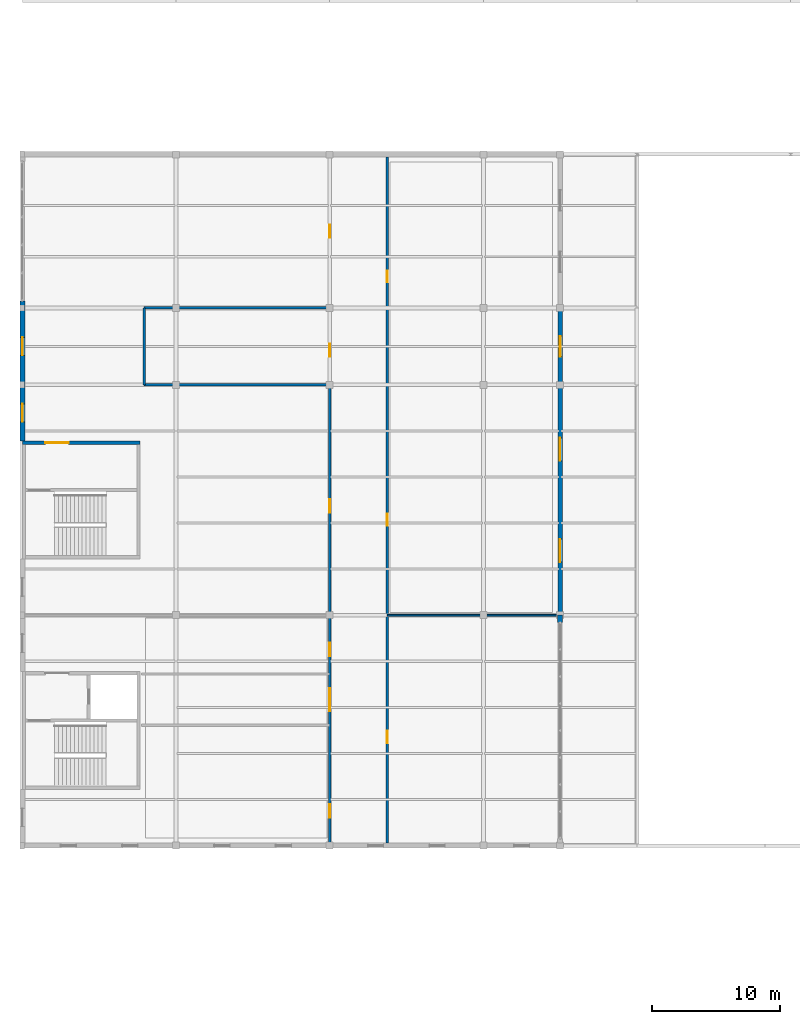
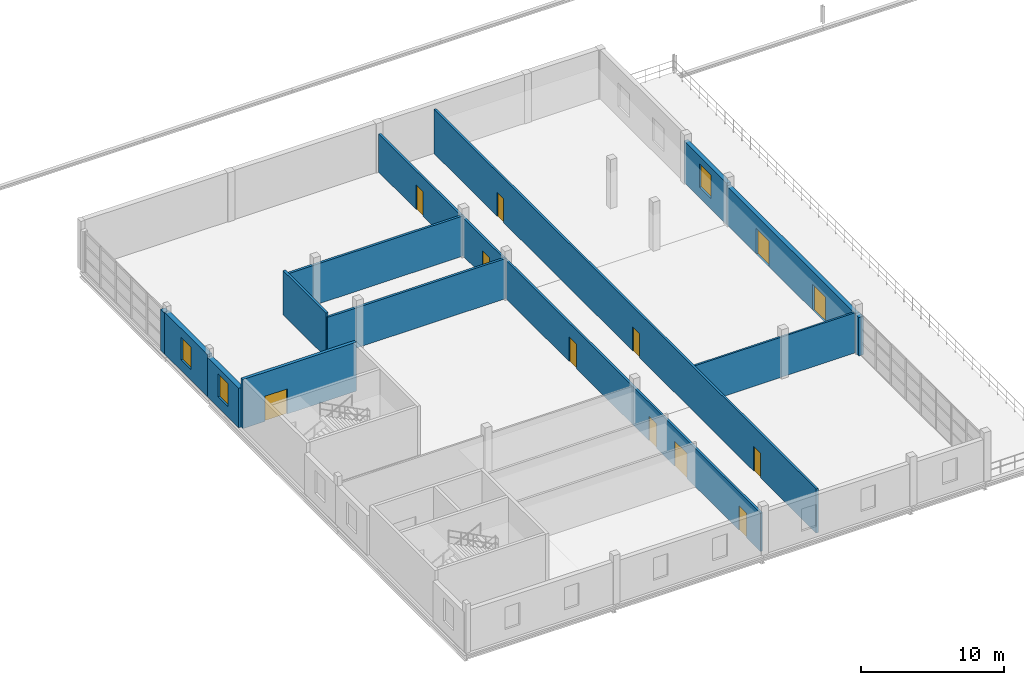
# One storey, part 78 of 86: 13 walls, 12 doors, 3 windows, 15 openings.
"""IFC4 building model written with IfcOpenShell, lengths in metres."""

from ifc_helpers import new_model, si_unit, direction, frame, frame_2d, origin, place, context, subcontext, project, spatial, rectangle, extrude, material, layer, layer_set, type_object, element, fill, save


model = new_model("IFC4")

# Units and contexts
model_context = context("Model", 3, precision=1e-05, world=origin(), true_north=direction((0.0, 1.0)))
body_context = subcontext(model_context, "Body", "Model", "MODEL_VIEW")
ifc_project = project(units=[si_unit("LENGTHUNIT", "METRE"), si_unit("AREAUNIT", "SQUARE_METRE"), si_unit("VOLUMEUNIT", "CUBIC_METRE"), si_unit("PLANEANGLEUNIT", "RADIAN"), si_unit("MASSUNIT", "GRAM", prefix="KILO")], contexts=[model_context])

# Site, building, storey
site_placement = place(None, origin())
site = spatial("IfcSite", under=ifc_project, at=site_placement, CompositionType="ELEMENT")
building_placement = place(site_placement, origin())
building = spatial("IfcBuilding", under=site, at=building_placement, Name="Zilviju Railside Exhibition Hall", CompositionType="ELEMENT")
storey_placement = place(building_placement, frame((0.0, 0.0, 12.60009765625)))
storey = spatial("IfcBuildingStorey", under=building, at=storey_placement, Name="L04", CompositionType="ELEMENT", Elevation=12.60009765625)

# Wall, opening, door
ifc_material_1 = material(Name="Concrete C35/45", Category="concrete")
ifc_layer_1 = layer(ifc_material_1, 0.25)
ifc_layer_set_1 = layer_set([ifc_layer_1], Name="Concrete C35/45")
wall_type_1 = type_object("IfcWallType", Name="WL-CORE-250", PredefinedType="SHEAR", material=ifc_layer_set_1)
wall_1_placement = place(storey_placement, frame((0.0, 115.47509765625, 0.0), z_axis=(0.0, 0.0, 1.0), x_axis=(1.0, 0.0, 0.0)))
wall_1 = element("IfcWall", 1, at=wall_1_placement, inside=storey, type_object=wall_type_1, Name="Core C16 Organisers Wing North Lobby Side Wall L04", PredefinedType="SHEAR", context=body_context, shape_type="SweptSolid", body=[
    extrude(rectangle(XDim=9.199951171875, YDim=0.25, at=frame_2d((4.60009765625, 0.0))), origin(), (0.0, 0.0, 1.0), 4.199951171875),
])
opening_1_placement = place(wall_1_placement, frame((1.800048828125, 0.0, 0.0)))
opening_1 = element("IfcOpeningElement", 2, at=opening_1_placement, cuts=wall_1, Name="Opening FD-02", PredefinedType="OPENING", context=body_context, shape_type="SweptSolid", body=[
    extrude(rectangle(XDim=1.800048828125, YDim=2.14990234375, at=frame_2d((0.89990234375, 1.074951171875))), frame((0.0, 0.135009765625, 0.0), z_axis=(0.0, -1.0, 0.0), x_axis=(1.0, 0.0, 0.0)), (0.0, 0.0, 1.0), 0.27001953125),
])
ifc_material_2 = material(Name="Self-closing glazed steel core lobby fire door EI 60", Category="steel")
door_type_1 = type_object("IfcDoorType", Name="DR-LOBBY-180x215", OperationType="NOTDEFINED", PredefinedType="DOOR", material=ifc_material_2)
door_1_placement = place(opening_1_placement, origin())
door_1 = element("IfcDoor", 3, at=door_1_placement, inside=storey, type_object=door_type_1, Name="Core C16 Organisers Wing North Lobby Fire Door L04", OperationType="DOUBLE_DOOR_SINGLE_SWING", OverallHeight=2.14990234375, OverallWidth=1.800048828125, PredefinedType="DOOR", context=body_context, shape_type="SweptSolid", body=[
    extrude(rectangle(XDim=1.800048828125, YDim=2.14990234375, at=frame_2d((0.89990234375, 1.074951171875))), frame((0.0, 0.02490234375, 0.0), z_axis=(0.0, -1.0, 0.0), x_axis=(1.0, 0.0, 0.0)), (0.0, 0.0, 1.0), 0.050048828125),
])
fill(opening_1, door_1)

# Wall, openings, doors
ifc_material_3 = material(Name="Insulated terrace foyer masonry wall", Category="masonry")
ifc_layer_2 = layer(ifc_material_3, 0.340087890625)
ifc_layer_set_2 = layer_set([ifc_layer_2], Name="Insulated terrace foyer masonry wall")
wall_type_2 = type_object("IfcWallType", Name="WL-EXT-340", PredefinedType="SOLIDWALL", material=ifc_layer_set_2)
wall_2_placement = place(storey_placement, frame((42.0, 120.0, 0.0), z_axis=(0.0, 0.0, 1.0), x_axis=(0.0, -1.0, 0.0)))
wall_2 = element("IfcWall", 4, at=wall_2_placement, inside=storey, type_object=wall_type_2, Name="Exterior Facade Wall L04 East 0495", PredefinedType="SOLIDWALL", context=body_context, shape_type="SweptSolid", body=[
    extrude(rectangle(XDim=18.0, YDim=0.340087890625, at=frame_2d((9.0, 0.0))), origin(), (0.0, 0.0, 1.0), 3.2998046875),
])
opening_2_placement = place(wall_2_placement, frame((4.139892578125, 0.0, 0.0)))
opening_2 = element("IfcOpeningElement", 5, at=opening_2_placement, cuts=wall_2, Name="Opening TD-01", PredefinedType="OPENING", context=body_context, shape_type="SweptSolid", body=[
    extrude(rectangle(XDim=1.800048828125, YDim=2.199951171875, at=frame_2d((0.89990234375, 1.10009765625))), frame((0.0, 0.179931640625, 0.0), z_axis=(0.0, -1.0, 0.0), x_axis=(1.0, 0.0, 0.0)), (0.0, 0.0, 1.0), 0.360107421875),
])
opening_3_placement = place(wall_2_placement, frame((12.06005859375, 0.0, 0.0)))
opening_3 = element("IfcOpeningElement", 6, at=opening_3_placement, cuts=wall_2, Name="Opening TD-01", PredefinedType="OPENING", context=body_context, shape_type="SweptSolid", body=[
    extrude(rectangle(XDim=1.800048828125, YDim=2.199951171875, at=frame_2d((0.89990234375, 1.10009765625))), frame((0.0, 0.179931640625, 0.0), z_axis=(0.0, -1.0, 0.0), x_axis=(1.0, 0.0, 0.0)), (0.0, 0.0, 1.0), 0.360107421875),
])
ifc_material_4 = material(Name="Triple-glazed roof-garden terrace double door", Category="steel")
door_type_2 = type_object("IfcDoorType", Name="DR-EXT-TERR-180x220", OperationType="NOTDEFINED", PredefinedType="DOOR", material=ifc_material_4)
door_2_placement = place(opening_2_placement, origin())
door_2 = element("IfcDoor", 7, at=door_2_placement, inside=storey, type_object=door_type_2, Name="Organisers L04 East Roof Garden Door TD-V5-L04", OperationType="DOUBLE_DOOR_SINGLE_SWING", OverallHeight=2.199951171875, OverallWidth=1.800048828125, PredefinedType="DOOR", context=body_context, shape_type="SweptSolid", body=[
    extrude(rectangle(XDim=1.800048828125, YDim=2.199951171875, at=frame_2d((0.89990234375, 1.10009765625))), frame((0.0, 0.02490234375, 0.0), z_axis=(0.0, -1.0, 0.0), x_axis=(1.0, 0.0, 0.0)), (0.0, 0.0, 1.0), 0.050048828125),
])
fill(opening_2, door_2)
door_3_placement = place(opening_3_placement, origin())
door_3 = element("IfcDoor", 8, at=door_3_placement, inside=storey, type_object=door_type_2, Name="Organisers L04 East Roof Garden Door TD-V5-L04", OperationType="DOUBLE_DOOR_SINGLE_SWING", OverallHeight=2.199951171875, OverallWidth=1.800048828125, PredefinedType="DOOR", context=body_context, shape_type="SweptSolid", body=[
    extrude(rectangle(XDim=1.800048828125, YDim=2.199951171875, at=frame_2d((0.89990234375, 1.10009765625))), frame((0.0, 0.02490234375, 0.0), z_axis=(0.0, -1.0, 0.0), x_axis=(1.0, 0.0, 0.0)), (0.0, 0.0, 1.0), 0.050048828125),
])
fill(opening_3, door_3)

# Wall, opening, window
wall_3_placement = place(storey_placement, frame((42.0, 126.0, 0.0), z_axis=(0.0, 0.0, 1.0), x_axis=(0.0, -1.0, 0.0)))
wall_3 = element("IfcWall", 9, at=wall_3_placement, inside=storey, type_object=wall_type_2, Name="Exterior Facade Wall L04 East 0496", PredefinedType="SOLIDWALL", context=body_context, shape_type="SweptSolid", body=[
    extrude(rectangle(XDim=6.0, YDim=0.340087890625, at=frame_2d((3.0, 0.0))), origin(), (0.0, 0.0, 1.0), 3.539794921875),
])
opening_4_placement = place(wall_3_placement, frame((2.199951171875, 0.0, 0.89990234375)))
opening_4 = element("IfcOpeningElement", 10, at=opening_4_placement, cuts=wall_3, Name="Opening WN-02", PredefinedType="OPENING", context=body_context, shape_type="SweptSolid", body=[
    extrude(rectangle(XDim=1.60009765625, YDim=2.0, at=frame_2d((0.800048828125, 1.0))), frame((0.0, 0.179931640625, 0.0), z_axis=(0.0, -1.0, 0.0), x_axis=(1.0, 0.0, 0.0)), (0.0, 0.0, 1.0), 0.360107421875),
])
ifc_material_5 = material(Name="Triple-glazed timber-aluminium window unit", Category="wood")
window_type_1 = type_object("IfcWindowType", Name="WIN-JUG-160x200", PartitioningType="DOUBLE_PANEL_VERTICAL", PredefinedType="WINDOW", material=ifc_material_5)
window_1_placement = place(opening_4_placement, origin())
window_1 = element("IfcWindow", 11, at=window_1_placement, inside=storey, type_object=window_type_1, Name="Facade Window L04 WN-0058", OverallHeight=2.0, OverallWidth=1.60009765625, PartitioningType="SINGLE_PANEL", PredefinedType="WINDOW", context=body_context, shape_type="SweptSolid", body=[
    extrude(rectangle(XDim=1.60009765625, YDim=2.0, at=frame_2d((0.800048828125, 1.0))), frame((0.0, 0.030029296875, 0.0), z_axis=(0.0, -1.0, 0.0), x_axis=(1.0, 0.0, 0.0)), (0.0, 0.0, 1.0), 0.06005859375),
])
fill(opening_4, window_1)

ifc_material_6 = material(Name="Insulated cream-brick upper facade wall", Category="masonry")
ifc_layer_3 = layer(ifc_material_6, 0.3798828125)
ifc_layer_set_3 = layer_set([ifc_layer_3], Name="Insulated cream-brick upper facade wall")
wall_type_3 = type_object("IfcWallType", Name="WL-EXT-380", PredefinedType="SOLIDWALL", material=ifc_layer_set_3)
wall_4_placement = place(storey_placement, frame((0.0, 115.60009765625, 0.0), z_axis=(0.0, 0.0, 1.0), x_axis=(0.0, 1.0, 0.0)))
wall_4 = element("IfcWall", 12, at=wall_4_placement, inside=storey, type_object=wall_type_3, Name="Exterior Facade Wall L04 West 0489", PredefinedType="SOLIDWALL", context=body_context, shape_type="SweptSolid", body=[
    extrude(rectangle(XDim=4.39990234375, YDim=0.3798828125, at=frame_2d((2.199951171875, 0.0))), origin(), (0.0, 0.0, 1.0), 3.3798828125),
])
opening_5_placement = place(wall_4_placement, frame((1.5, 0.0, 0.89990234375)))
opening_5 = element("IfcOpeningElement", 13, at=opening_5_placement, cuts=wall_4, Name="Opening WN-03", PredefinedType="OPENING", context=body_context, shape_type="SweptSolid", body=[
    extrude(rectangle(XDim=1.39990234375, YDim=1.949951171875, at=frame_2d((0.699951171875, 0.97509765625))), frame((0.0, 0.199951171875, 0.0), z_axis=(0.0, -1.0, 0.0), x_axis=(1.0, 0.0, 0.0)), (0.0, 0.0, 1.0), 0.39990234375),
])
window_type_2 = type_object("IfcWindowType", Name="WIN-JUG-140x195", PartitioningType="DOUBLE_PANEL_VERTICAL", PredefinedType="WINDOW", material=ifc_material_5)
window_2_placement = place(opening_5_placement, origin())
window_2 = element("IfcWindow", 14, at=window_2_placement, inside=storey, type_object=window_type_2, Name="Facade Window L04 WN-0056", OverallHeight=1.949951171875, OverallWidth=1.39990234375, PartitioningType="SINGLE_PANEL", PredefinedType="WINDOW", context=body_context, shape_type="SweptSolid", body=[
    extrude(rectangle(XDim=1.39990234375, YDim=1.949951171875, at=frame_2d((0.699951171875, 0.97509765625))), frame((0.0, 0.030029296875, 0.0), z_axis=(0.0, -1.0, 0.0), x_axis=(1.0, 0.0, 0.0)), (0.0, 0.0, 1.0), 0.06005859375),
])
fill(opening_5, window_2)

wall_5_placement = place(storey_placement, frame((0.0, 120.0, 0.0), z_axis=(0.0, 0.0, 1.0), x_axis=(0.0, 1.0, 0.0)))
wall_5 = element("IfcWall", 15, at=wall_5_placement, inside=storey, type_object=wall_type_3, Name="Exterior Facade Wall L04 West 0490", PredefinedType="SOLIDWALL", context=body_context, shape_type="SweptSolid", body=[
    extrude(rectangle(XDim=6.0, YDim=0.3798828125, at=frame_2d((3.0, 0.0))), origin(), (0.0, 0.0, 1.0), 3.58984375),
])
opening_6_placement = place(wall_5_placement, frame((2.300048828125, 0.0, 0.89990234375)))
opening_6 = element("IfcOpeningElement", 16, at=opening_6_placement, cuts=wall_5, Name="Opening WN-03", PredefinedType="OPENING", context=body_context, shape_type="SweptSolid", body=[
    extrude(rectangle(XDim=1.39990234375, YDim=1.949951171875, at=frame_2d((0.699951171875, 0.97509765625))), frame((0.0, 0.199951171875, 0.0), z_axis=(0.0, -1.0, 0.0), x_axis=(1.0, 0.0, 0.0)), (0.0, 0.0, 1.0), 0.39990234375),
])
window_3_placement = place(opening_6_placement, origin())
window_3 = element("IfcWindow", 17, at=window_3_placement, inside=storey, type_object=window_type_2, Name="Facade Window L04 WN-0057", OverallHeight=1.949951171875, OverallWidth=1.39990234375, PartitioningType="SINGLE_PANEL", PredefinedType="WINDOW", context=body_context, shape_type="SweptSolid", body=[
    extrude(rectangle(XDim=1.39990234375, YDim=1.949951171875, at=frame_2d((0.699951171875, 0.97509765625))), frame((0.0, 0.030029296875, 0.0), z_axis=(0.0, -1.0, 0.0), x_axis=(1.0, 0.0, 0.0)), (0.0, 0.0, 1.0), 0.06005859375),
])
fill(opening_6, window_3)

# Walls
wall_6_placement = place(storey_placement, frame((0.0, 126.001953125, 0.0), z_axis=(0.0, 0.0, 1.0), x_axis=(0.0, 1.0, 0.0)))
element("IfcWall", 18, at=wall_6_placement, inside=storey, type_object=wall_type_3, Name="Curtain-Wall Jamb Closure Pier L04 0491", PredefinedType="SOLIDWALL", context=body_context, shape_type="SweptSolid", body=[
    extrude(rectangle(XDim=0.548095703125, YDim=0.3798828125, at=frame_2d((0.27392578125, 0.0))), origin(), (0.0, 0.0, 1.0), 3.5),
])
wall_7_placement = place(storey_placement, frame((42.0, 101.998046875, 0.0), z_axis=(0.0, 0.0, 1.0), x_axis=(0.0, -1.0, 0.0)))
element("IfcWall", 19, at=wall_7_placement, inside=storey, type_object=wall_type_3, Name="Curtain-Wall Jamb Closure Pier L04 0494", PredefinedType="SOLIDWALL", context=body_context, shape_type="SweptSolid", body=[
    extrude(rectangle(XDim=0.548095703125, YDim=0.3798828125, at=frame_2d((0.27392578125, 0.0))), origin(), (0.0, 0.0, 1.0), 3.2998046875),
])
ifc_material_7 = material(Name="Insulated gypsum room partition wall", Category="masonry")
ifc_layer_4 = layer(ifc_material_7, 0.14990234375)
ifc_layer_set_4 = layer_set([ifc_layer_4], Name="Insulated gypsum room partition wall")
wall_type_4 = type_object("IfcWallType", Name="WL-PART-150", PredefinedType="PARTITIONING", material=ifc_layer_set_4)
wall_8_placement = place(storey_placement, frame((28.5, 102.0, 0.0), z_axis=(0.0, 0.0, 1.0), x_axis=(1.0, 0.0, 0.0)))
element("IfcWall", 20, at=wall_8_placement, inside=storey, type_object=wall_type_4, Name="Wing East Cross Wall L04 Y=102", PredefinedType="PARTITIONING", context=body_context, shape_type="SweptSolid", body=[
    extrude(rectangle(XDim=13.280029296875, YDim=0.14990234375, at=frame_2d((6.64013671875, 0.0))), origin(), (0.0, 0.0, 1.0), 3.43994140625),
])

# Wall, openings, doors
ifc_material_8 = material(Name="Acoustic conference partition wall", Category="masonry")
ifc_layer_5 = layer(ifc_material_8, 0.175048828125)
ifc_layer_set_5 = layer_set([ifc_layer_5], Name="Acoustic conference partition wall")
wall_type_5 = type_object("IfcWallType", Name="WL-PART-175", PredefinedType="PARTITIONING", material=ifc_layer_set_5)
wall_9_placement = place(storey_placement, frame((24.0, 84.219970703125, 0.0), z_axis=(0.0, 0.0, 1.0), x_axis=(0.0, 1.0, 0.0)))
wall_9 = element("IfcWall", 21, at=wall_9_placement, inside=storey, type_object=wall_type_5, Name="Wing West Corridor Wall L04", PredefinedType="PARTITIONING", context=body_context, shape_type="SweptSolid", body=[
    extrude(rectangle(XDim=53.56005859375, YDim=0.175048828125, at=frame_2d((26.780029296875, 0.0))), origin(), (0.0, 0.0, 1.0), 3.27978515625),
])
opening_7_placement = place(wall_9_placement, frame((1.97998046875, 0.0, 0.0)))
opening_7 = element("IfcOpeningElement", 22, at=opening_7_placement, cuts=wall_9, Name="Opening ID-02", PredefinedType="OPENING", context=body_context, shape_type="SweptSolid", body=[
    extrude(rectangle(XDim=1.050048828125, YDim=2.10009765625, at=frame_2d((0.52490234375, 1.050048828125))), frame((0.0, 0.097412109375, 0.0), z_axis=(0.0, -1.0, 0.0), x_axis=(1.0, 0.0, 0.0)), (0.0, 0.0, 1.0), 0.195068359375),
])
opening_8_placement = place(wall_9_placement, frame((10.280029296875, 0.0, 0.0)))
opening_8 = element("IfcOpeningElement", 23, at=opening_8_placement, cuts=wall_9, Name="Opening FD-02", PredefinedType="OPENING", context=body_context, shape_type="SweptSolid", body=[
    extrude(rectangle(XDim=1.800048828125, YDim=2.14990234375, at=frame_2d((0.89990234375, 1.074951171875))), frame((0.0, 0.097412109375, 0.0), z_axis=(0.0, -1.0, 0.0), x_axis=(1.0, 0.0, 0.0)), (0.0, 0.0, 1.0), 0.195068359375),
])
opening_9_placement = place(wall_9_placement, frame((14.580078125, 0.0, 0.0)))
opening_9 = element("IfcOpeningElement", 24, at=opening_9_placement, cuts=wall_9, Name="Opening ID-02", PredefinedType="OPENING", context=body_context, shape_type="SweptSolid", body=[
    extrude(rectangle(XDim=1.050048828125, YDim=2.10009765625, at=frame_2d((0.52490234375, 1.050048828125))), frame((0.0, 0.097412109375, 0.0), z_axis=(0.0, -1.0, 0.0), x_axis=(1.0, 0.0, 0.0)), (0.0, 0.0, 1.0), 0.195068359375),
])
opening_10_placement = place(wall_9_placement, frame((25.780029296875, 0.0, 0.0)))
opening_10 = element("IfcOpeningElement", 25, at=opening_10_placement, cuts=wall_9, Name="Opening ID-02", PredefinedType="OPENING", context=body_context, shape_type="SweptSolid", body=[
    extrude(rectangle(XDim=1.050048828125, YDim=2.10009765625, at=frame_2d((0.52490234375, 1.050048828125))), frame((0.0, 0.097412109375, 0.0), z_axis=(0.0, -1.0, 0.0), x_axis=(1.0, 0.0, 0.0)), (0.0, 0.0, 1.0), 0.195068359375),
])
opening_11_placement = place(wall_9_placement, frame((37.97998046875, 0.0, 0.0)))
opening_11 = element("IfcOpeningElement", 26, at=opening_11_placement, cuts=wall_9, Name="Opening WD-01", PredefinedType="OPENING", context=body_context, shape_type="SweptSolid", body=[
    extrude(rectangle(XDim=1.0, YDim=2.10009765625, at=frame_2d((0.5, 1.050048828125))), frame((0.0, 0.097412109375, 0.0), z_axis=(0.0, -1.0, 0.0), x_axis=(1.0, 0.0, 0.0)), (0.0, 0.0, 1.0), 0.195068359375),
])
opening_12_placement = place(wall_9_placement, frame((47.280029296875, 0.0, 0.0)))
opening_12 = element("IfcOpeningElement", 27, at=opening_12_placement, cuts=wall_9, Name="Opening ID-03", PredefinedType="OPENING", context=body_context, shape_type="SweptSolid", body=[
    extrude(rectangle(XDim=0.97998046875, YDim=2.10009765625, at=frame_2d((0.489990234375, 1.050048828125))), frame((0.0, 0.097412109375, 0.0), z_axis=(0.0, -1.0, 0.0), x_axis=(1.0, 0.0, 0.0)), (0.0, 0.0, 1.0), 0.195068359375),
])
door_4_placement = place(opening_8_placement, origin())
door_4 = element("IfcDoor", 28, at=door_4_placement, inside=storey, type_object=door_type_1, Name="West Core Corridor Fire Door L04", OperationType="DOUBLE_DOOR_SINGLE_SWING", OverallHeight=2.14990234375, OverallWidth=1.800048828125, PredefinedType="DOOR", context=body_context, shape_type="SweptSolid", body=[
    extrude(rectangle(XDim=1.800048828125, YDim=2.14990234375, at=frame_2d((0.89990234375, 1.074951171875))), frame((0.0, 0.02490234375, 0.0), z_axis=(0.0, -1.0, 0.0), x_axis=(1.0, 0.0, 0.0)), (0.0, 0.0, 1.0), 0.050048828125),
])
fill(opening_8, door_4)
ifc_material_9 = material(Name="Oak veneer meeting room single door", Category="wood")
door_type_3 = type_object("IfcDoorType", Name="DR-MTG-105x210", OperationType="NOTDEFINED", PredefinedType="DOOR", material=ifc_material_9)
door_5_placement = place(opening_7_placement, origin())
door_5 = element("IfcDoor", 29, at=door_5_placement, inside=storey, type_object=door_type_3, Name="Suite West South Door L04", OperationType="SINGLE_SWING_RIGHT", OverallHeight=2.10009765625, OverallWidth=1.050048828125, PredefinedType="DOOR", context=body_context, shape_type="SweptSolid", body=[
    extrude(rectangle(XDim=1.050048828125, YDim=2.10009765625, at=frame_2d((0.52490234375, 1.050048828125))), frame((0.0, 0.02490234375, 0.0), z_axis=(0.0, -1.0, 0.0), x_axis=(1.0, 0.0, 0.0)), (0.0, 0.0, 1.0), 0.050048828125),
])
fill(opening_7, door_5)
door_6_placement = place(opening_9_placement, origin())
door_6 = element("IfcDoor", 30, at=door_6_placement, inside=storey, type_object=door_type_3, Name="Suite West 1 Door L04", OperationType="SINGLE_SWING_LEFT", OverallHeight=2.10009765625, OverallWidth=1.050048828125, PredefinedType="DOOR", context=body_context, shape_type="SweptSolid", body=[
    extrude(rectangle(XDim=1.050048828125, YDim=2.10009765625, at=frame_2d((0.52490234375, 1.050048828125))), frame((0.0, 0.02490234375, 0.0), z_axis=(0.0, -1.0, 0.0), x_axis=(1.0, 0.0, 0.0)), (0.0, 0.0, 1.0), 0.050048828125),
])
fill(opening_9, door_6)
door_7_placement = place(opening_10_placement, origin())
door_7 = element("IfcDoor", 31, at=door_7_placement, inside=storey, type_object=door_type_3, Name="Suite West 2 Door L04", OperationType="SINGLE_SWING_RIGHT", OverallHeight=2.10009765625, OverallWidth=1.050048828125, PredefinedType="DOOR", context=body_context, shape_type="SweptSolid", body=[
    extrude(rectangle(XDim=1.050048828125, YDim=2.10009765625, at=frame_2d((0.52490234375, 1.050048828125))), frame((0.0, 0.02490234375, 0.0), z_axis=(0.0, -1.0, 0.0), x_axis=(1.0, 0.0, 0.0)), (0.0, 0.0, 1.0), 0.050048828125),
])
fill(opening_10, door_7)
ifc_material_10 = material(Name="Oak veneer administration single door", Category="wood")
door_type_4 = type_object("IfcDoorType", Name="DR-OFF-098x210", OperationType="NOTDEFINED", PredefinedType="DOOR", material=ifc_material_10)
door_8_placement = place(opening_12_placement, origin())
door_8 = element("IfcDoor", 32, at=door_8_placement, inside=storey, type_object=door_type_4, Name="Suite West 3 Door L04", OperationType="SINGLE_SWING_RIGHT", OverallHeight=2.10009765625, OverallWidth=0.97998046875, PredefinedType="DOOR", context=body_context, shape_type="SweptSolid", body=[
    extrude(rectangle(XDim=0.97998046875, YDim=2.10009765625, at=frame_2d((0.489990234375, 1.050048828125))), frame((0.0, 0.02490234375, 0.0), z_axis=(0.0, -1.0, 0.0), x_axis=(1.0, 0.0, 0.0)), (0.0, 0.0, 1.0), 0.050048828125),
])
fill(opening_12, door_8)
ifc_material_11 = material(Name="Accessible WC outward-opening door", Category="wood")
door_type_5 = type_object("IfcDoorType", Name="DR-WC-ACC-100x210", OperationType="NOTDEFINED", PredefinedType="DOOR", material=ifc_material_11)
door_9_placement = place(opening_11_placement, origin())
door_9 = element("IfcDoor", 33, at=door_9_placement, inside=storey, type_object=door_type_5, Name="Wing L04 Accessible WC Door", OperationType="SINGLE_SWING_LEFT", OverallHeight=2.10009765625, OverallWidth=1.0, PredefinedType="DOOR", context=body_context, shape_type="SweptSolid", body=[
    extrude(rectangle(XDim=1.0, YDim=2.10009765625, at=frame_2d((0.5, 1.050048828125))), frame((0.0, 0.02490234375, 0.0), z_axis=(0.0, -1.0, 0.0), x_axis=(1.0, 0.0, 0.0)), (0.0, 0.0, 1.0), 0.050048828125),
])
fill(opening_11, door_9)

wall_10_placement = place(storey_placement, frame((28.5, 84.219970703125, 0.0), z_axis=(0.0, 0.0, 1.0), x_axis=(0.0, 1.0, 0.0)))
wall_10 = element("IfcWall", 34, at=wall_10_placement, inside=storey, type_object=wall_type_5, Name="Wing East Corridor Wall L04", PredefinedType="PARTITIONING", context=body_context, shape_type="SweptSolid", body=[
    extrude(rectangle(XDim=53.56005859375, YDim=0.175048828125, at=frame_2d((26.780029296875, 0.0))), origin(), (0.0, 0.0, 1.0), 3.77978515625),
])
opening_13_placement = place(wall_10_placement, frame((7.780029296875, 0.0, 0.0)))
opening_13 = element("IfcOpeningElement", 35, at=opening_13_placement, cuts=wall_10, Name="Opening ID-03", PredefinedType="OPENING", context=body_context, shape_type="SweptSolid", body=[
    extrude(rectangle(XDim=0.97998046875, YDim=2.10009765625, at=frame_2d((0.489990234375, 1.050048828125))), frame((0.0, 0.097412109375, 0.0), z_axis=(0.0, -1.0, 0.0), x_axis=(1.0, 0.0, 0.0)), (0.0, 0.0, 1.0), 0.195068359375),
])
opening_14_placement = place(wall_10_placement, frame((24.780029296875, 0.0, 0.0)))
opening_14 = element("IfcOpeningElement", 36, at=opening_14_placement, cuts=wall_10, Name="Opening ID-04", PredefinedType="OPENING", context=body_context, shape_type="SweptSolid", body=[
    extrude(rectangle(XDim=0.919921875, YDim=2.050048828125, at=frame_2d((0.4599609375, 1.02490234375))), frame((0.0, 0.097412109375, 0.0), z_axis=(0.0, -1.0, 0.0), x_axis=(1.0, 0.0, 0.0)), (0.0, 0.0, 1.0), 0.195068359375),
])
opening_15_placement = place(wall_10_placement, frame((43.780029296875, 0.0, 0.0)))
opening_15 = element("IfcOpeningElement", 37, at=opening_15_placement, cuts=wall_10, Name="Opening ID-04", PredefinedType="OPENING", context=body_context, shape_type="SweptSolid", body=[
    extrude(rectangle(XDim=0.919921875, YDim=2.050048828125, at=frame_2d((0.4599609375, 1.02490234375))), frame((0.0, 0.097412109375, 0.0), z_axis=(0.0, -1.0, 0.0), x_axis=(1.0, 0.0, 0.0)), (0.0, 0.0, 1.0), 0.195068359375),
])
ifc_material_12 = material(Name="Timber interior office door", Category="wood")
door_type_6 = type_object("IfcDoorType", Name="DR-OFF-092x205", OperationType="NOTDEFINED", PredefinedType="DOOR", material=ifc_material_12)
door_10_placement = place(opening_14_placement, origin())
door_10 = element("IfcDoor", 38, at=door_10_placement, inside=storey, type_object=door_type_6, Name="Suite East 2 Door L04", OperationType="SINGLE_SWING_LEFT", OverallHeight=2.050048828125, OverallWidth=0.919921875, PredefinedType="DOOR", context=body_context, shape_type="SweptSolid", body=[
    extrude(rectangle(XDim=0.919921875, YDim=2.050048828125, at=frame_2d((0.4599609375, 1.02490234375))), frame((0.0, 0.02490234375, 0.0), z_axis=(0.0, -1.0, 0.0), x_axis=(1.0, 0.0, 0.0)), (0.0, 0.0, 1.0), 0.050048828125),
])
fill(opening_14, door_10)
door_11_placement = place(opening_15_placement, origin())
door_11 = element("IfcDoor", 39, at=door_11_placement, inside=storey, type_object=door_type_6, Name="Suite East 3 Door L04", OperationType="SINGLE_SWING_RIGHT", OverallHeight=2.050048828125, OverallWidth=0.919921875, PredefinedType="DOOR", context=body_context, shape_type="SweptSolid", body=[
    extrude(rectangle(XDim=0.919921875, YDim=2.050048828125, at=frame_2d((0.4599609375, 1.02490234375))), frame((0.0, 0.02490234375, 0.0), z_axis=(0.0, -1.0, 0.0), x_axis=(1.0, 0.0, 0.0)), (0.0, 0.0, 1.0), 0.050048828125),
])
fill(opening_15, door_11)
door_12_placement = place(opening_13_placement, origin())
door_12 = element("IfcDoor", 40, at=door_12_placement, inside=storey, type_object=door_type_4, Name="Suite East 1 Door L04", OperationType="SINGLE_SWING_RIGHT", OverallHeight=2.10009765625, OverallWidth=0.97998046875, PredefinedType="DOOR", context=body_context, shape_type="SweptSolid", body=[
    extrude(rectangle(XDim=0.97998046875, YDim=2.10009765625, at=frame_2d((0.489990234375, 1.050048828125))), frame((0.0, 0.02490234375, 0.0), z_axis=(0.0, -1.0, 0.0), x_axis=(1.0, 0.0, 0.0)), (0.0, 0.0, 1.0), 0.050048828125),
])
fill(opening_13, door_12)

# Walls
ifc_material_13 = material(Name="Accessible WC sanitary chase wall", Category="masonry")
ifc_layer_6 = layer(ifc_material_13, 0.18994140625)
ifc_layer_set_6 = layer_set([ifc_layer_6], Name="Accessible WC sanitary chase wall")
wall_type_6 = type_object("IfcWallType", Name="WL-PLMB-190", PredefinedType="PLUMBINGWALL", material=ifc_layer_set_6)
for number, where, z_axis, x_axis, name in (
    (41, (9.5, 120.0, 0.0), (0.0, 0.0, 1.0), (1.0, 0.0, 0.0), "Wing West Cross Wall L04 Y=120"),
    (42, (9.5, 126.0, 0.0), (0.0, 0.0, 1.0), (1.0, 0.0, 0.0), "Wing West Cross Wall L04 Y=126"),
):
    element("IfcWall", number, at=place(storey_placement, frame(where, z_axis=z_axis, x_axis=x_axis)), inside=storey, type_object=wall_type_6, Name=name, PredefinedType="PLUMBINGWALL", context=body_context, shape_type="SweptSolid", body=[
        extrude(rectangle(XDim=14.5, YDim=0.18994140625, at=frame_2d((7.25, 0.0))), origin(), (0.0, 0.0, 1.0), 3.43994140625),
    ])
wall_11_placement = place(storey_placement, frame((9.5, 120.0, 0.0), z_axis=(0.0, 0.0, 1.0), x_axis=(0.0, 1.0, 0.0)))
element("IfcWall", 43, at=wall_11_placement, inside=storey, type_object=wall_type_6, Name="Wing WC West Wall L04", PredefinedType="PLUMBINGWALL", context=body_context, shape_type="SweptSolid", body=[
    extrude(rectangle(XDim=6.0, YDim=0.18994140625, at=frame_2d((3.0, 0.0))), origin(), (0.0, 0.0, 1.0), 3.77978515625),
])

save(model, "model.ifc")
